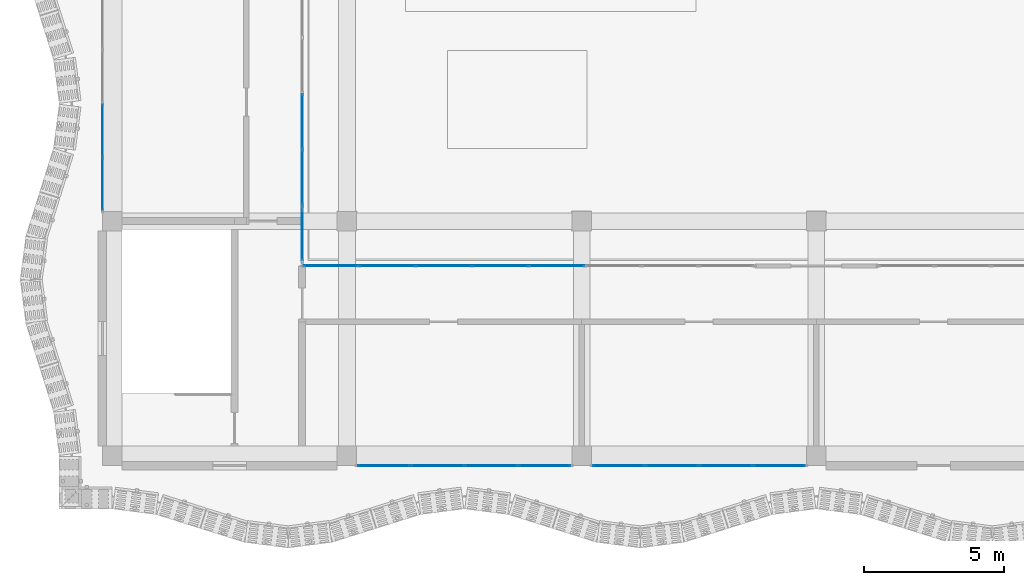
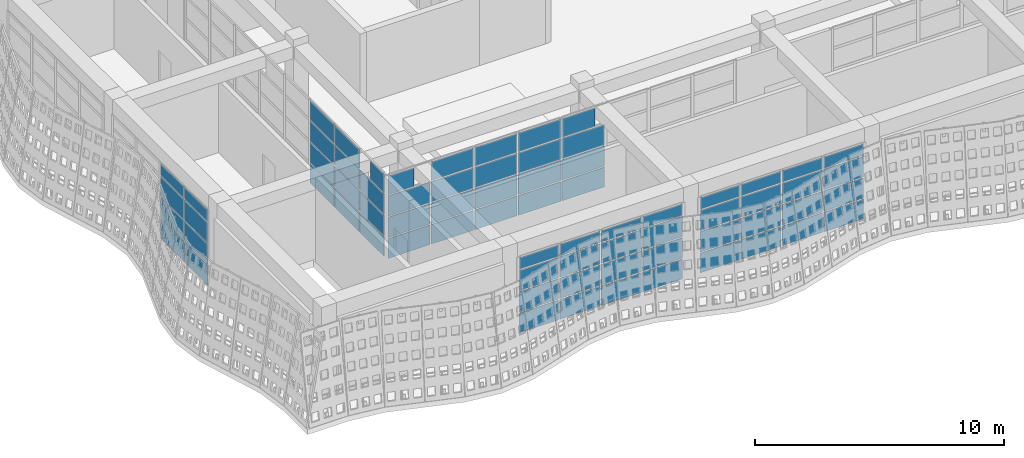
# One storey, part 27 of 85: 72 plates, 5 elements without a shape of their own.
"""IFC4 building model written with IfcOpenShell, lengths in metres."""

from ifc_helpers import new_model, si_unit, direction, frame, origin, origin_2d, place, context, subcontext, project, spatial, rectangle, extrude, material, layer, layer_set, type_object, element, aggregate, save


model = new_model("IFC4")

# Units and contexts
model_context = context("Model", 3, precision=1e-05, world=origin(), true_north=direction((0.0, 1.0)))
body_context = subcontext(model_context, "Body", "Model", "MODEL_VIEW")
ifc_project = project(units=[si_unit("LENGTHUNIT", "METRE"), si_unit("AREAUNIT", "SQUARE_METRE"), si_unit("VOLUMEUNIT", "CUBIC_METRE"), si_unit("PLANEANGLEUNIT", "RADIAN"), si_unit("MASSUNIT", "GRAM", prefix="KILO")], contexts=[model_context])

# Site, building, storey
site_placement = place(None, origin())
site = spatial("IfcSite", under=ifc_project, at=site_placement, CompositionType="ELEMENT")
building_placement = place(site_placement, origin())
building = spatial("IfcBuilding", under=site, at=building_placement, Name="Rain Tree Exposition and Congress Centre", CompositionType="ELEMENT")
storey_placement = place(building_placement, frame((0.0, 0.0, 15.0)))
storey = spatial("IfcBuildingStorey", under=building, at=storey_placement, Name="L03", CompositionType="ELEMENT", Elevation=15.0)

# Curtain wall, plates
ifc_material_1 = material(Name="Aluminium curtain wall", Category="aluminium")
curtain_wall_type = type_object("IfcCurtainWallType", Name="Wing curtain wall 1925", PredefinedType="NOTDEFINED", material=ifc_material_1)
curtain_wall_1_placement = place(storey_placement, origin())
curtain_wall_1 = element("IfcCurtainWall", 1, at=curtain_wall_1_placement, inside=storey, type_object=curtain_wall_type, Name="Curtain wall CWW401", PredefinedType="NOTDEFINED")
ifc_material_2 = material(Name="Double glazed unit", Category="glass")
ifc_layer = layer(ifc_material_2, 0.028076171875)
ifc_layer_set = layer_set([ifc_layer], Name="Double glazed unit")
plate_type = type_object("IfcPlateType", Name="Wing glazing panel 28", PredefinedType="CURTAIN_PANEL", material=ifc_layer_set)
plate_1_placement = place(storey_placement, frame((9.7275390625, -0.35009765625, 0.06005859375), z_axis=(0.0, 0.0, 1.0), x_axis=(1.0, 0.0, 0.0)))
plate_1 = element("IfcPlate", 2, at=plate_1_placement, type_object=plate_type, Name="CWW401 panel 1.1", PredefinedType="CURTAIN_PANEL", context=body_context, shape_type="SweptSolid", body=[
    extrude(rectangle(XDim=1.8349609375, YDim=0.028076171875, at=origin_2d()), origin(), (0.0, 0.0, 1.0), 0.9599609375),
])
plate_2_placement = place(storey_placement, frame((9.7275390625, -0.35009765625, 1.080078125), z_axis=(0.0, 0.0, 1.0), x_axis=(1.0, 0.0, 0.0)))
plate_2 = element("IfcPlate", 3, at=plate_2_placement, type_object=plate_type, Name="CWW401 panel 1.2", PredefinedType="CURTAIN_PANEL", context=body_context, shape_type="SweptSolid", body=[
    extrude(rectangle(XDim=1.8349609375, YDim=0.028076171875, at=origin_2d()), origin(), (0.0, 0.0, 1.0), 0.989990234375),
])
plate_3_placement = place(storey_placement, frame((9.7275390625, -0.35009765625, 2.1298828125), z_axis=(0.0, 0.0, 1.0), x_axis=(1.0, 0.0, 0.0)))
plate_3 = element("IfcPlate", 4, at=plate_3_placement, type_object=plate_type, Name="CWW401 panel 1.3", PredefinedType="CURTAIN_PANEL", context=body_context, shape_type="SweptSolid", body=[
    extrude(rectangle(XDim=1.8349609375, YDim=0.028076171875, at=origin_2d()), origin(), (0.0, 0.0, 1.0), 0.989990234375),
])
plate_4_placement = place(storey_placement, frame((9.7275390625, -0.35009765625, 3.179931640625), z_axis=(0.0, 0.0, 1.0), x_axis=(1.0, 0.0, 0.0)))
plate_4 = element("IfcPlate", 5, at=plate_4_placement, type_object=plate_type, Name="CWW401 panel 1.4", PredefinedType="CURTAIN_PANEL", context=body_context, shape_type="SweptSolid", body=[
    extrude(rectangle(XDim=1.8349609375, YDim=0.028076171875, at=origin_2d()), origin(), (0.0, 0.0, 1.0), 0.56005859375),
])
plate_5_placement = place(storey_placement, frame((11.637451171875, -0.35009765625, 0.06005859375), z_axis=(0.0, 0.0, 1.0), x_axis=(1.0, 0.0, 0.0)))
plate_5 = element("IfcPlate", 6, at=plate_5_placement, type_object=plate_type, Name="CWW401 panel 2.1", PredefinedType="CURTAIN_PANEL", context=body_context, shape_type="SweptSolid", body=[
    extrude(rectangle(XDim=1.864990234375, YDim=0.028076171875, at=origin_2d()), origin(), (0.0, 0.0, 1.0), 0.9599609375),
])
plate_6_placement = place(storey_placement, frame((11.637451171875, -0.35009765625, 1.080078125), z_axis=(0.0, 0.0, 1.0), x_axis=(1.0, 0.0, 0.0)))
plate_6 = element("IfcPlate", 7, at=plate_6_placement, type_object=plate_type, Name="CWW401 panel 2.2", PredefinedType="CURTAIN_PANEL", context=body_context, shape_type="SweptSolid", body=[
    extrude(rectangle(XDim=1.864990234375, YDim=0.028076171875, at=origin_2d()), origin(), (0.0, 0.0, 1.0), 0.989990234375),
])
plate_7_placement = place(storey_placement, frame((11.637451171875, -0.35009765625, 2.1298828125), z_axis=(0.0, 0.0, 1.0), x_axis=(1.0, 0.0, 0.0)))
plate_7 = element("IfcPlate", 8, at=plate_7_placement, type_object=plate_type, Name="CWW401 panel 2.3", PredefinedType="CURTAIN_PANEL", context=body_context, shape_type="SweptSolid", body=[
    extrude(rectangle(XDim=1.864990234375, YDim=0.028076171875, at=origin_2d()), origin(), (0.0, 0.0, 1.0), 0.989990234375),
])
plate_8_placement = place(storey_placement, frame((11.637451171875, -0.35009765625, 3.179931640625), z_axis=(0.0, 0.0, 1.0), x_axis=(1.0, 0.0, 0.0)))
plate_8 = element("IfcPlate", 9, at=plate_8_placement, type_object=plate_type, Name="CWW401 panel 2.4", PredefinedType="CURTAIN_PANEL", context=body_context, shape_type="SweptSolid", body=[
    extrude(rectangle(XDim=1.864990234375, YDim=0.028076171875, at=origin_2d()), origin(), (0.0, 0.0, 1.0), 0.56005859375),
])
plate_9_placement = place(storey_placement, frame((13.5625, -0.35009765625, 0.06005859375), z_axis=(0.0, 0.0, 1.0), x_axis=(1.0, 0.0, 0.0)))
plate_9 = element("IfcPlate", 10, at=plate_9_placement, type_object=plate_type, Name="CWW401 panel 3.1", PredefinedType="CURTAIN_PANEL", context=body_context, shape_type="SweptSolid", body=[
    extrude(rectangle(XDim=1.864990234375, YDim=0.028076171875, at=origin_2d()), origin(), (0.0, 0.0, 1.0), 0.9599609375),
])
plate_10_placement = place(storey_placement, frame((13.5625, -0.35009765625, 1.080078125), z_axis=(0.0, 0.0, 1.0), x_axis=(1.0, 0.0, 0.0)))
plate_10 = element("IfcPlate", 11, at=plate_10_placement, type_object=plate_type, Name="CWW401 panel 3.2", PredefinedType="CURTAIN_PANEL", context=body_context, shape_type="SweptSolid", body=[
    extrude(rectangle(XDim=1.864990234375, YDim=0.028076171875, at=origin_2d()), origin(), (0.0, 0.0, 1.0), 0.989990234375),
])
plate_11_placement = place(storey_placement, frame((13.5625, -0.35009765625, 2.1298828125), z_axis=(0.0, 0.0, 1.0), x_axis=(1.0, 0.0, 0.0)))
plate_11 = element("IfcPlate", 12, at=plate_11_placement, type_object=plate_type, Name="CWW401 panel 3.3", PredefinedType="CURTAIN_PANEL", context=body_context, shape_type="SweptSolid", body=[
    extrude(rectangle(XDim=1.864990234375, YDim=0.028076171875, at=origin_2d()), origin(), (0.0, 0.0, 1.0), 0.989990234375),
])
plate_12_placement = place(storey_placement, frame((13.5625, -0.35009765625, 3.179931640625), z_axis=(0.0, 0.0, 1.0), x_axis=(1.0, 0.0, 0.0)))
plate_12 = element("IfcPlate", 13, at=plate_12_placement, type_object=plate_type, Name="CWW401 panel 3.4", PredefinedType="CURTAIN_PANEL", context=body_context, shape_type="SweptSolid", body=[
    extrude(rectangle(XDim=1.864990234375, YDim=0.028076171875, at=origin_2d()), origin(), (0.0, 0.0, 1.0), 0.56005859375),
])
plate_13_placement = place(storey_placement, frame((15.472412109375, -0.35009765625, 0.06005859375), z_axis=(0.0, 0.0, 1.0), x_axis=(1.0, 0.0, 0.0)))
plate_13 = element("IfcPlate", 14, at=plate_13_placement, type_object=plate_type, Name="CWW401 panel 4.1", PredefinedType="CURTAIN_PANEL", context=body_context, shape_type="SweptSolid", body=[
    extrude(rectangle(XDim=1.8349609375, YDim=0.028076171875, at=origin_2d()), origin(), (0.0, 0.0, 1.0), 0.9599609375),
])
plate_14_placement = place(storey_placement, frame((15.472412109375, -0.35009765625, 1.080078125), z_axis=(0.0, 0.0, 1.0), x_axis=(1.0, 0.0, 0.0)))
plate_14 = element("IfcPlate", 15, at=plate_14_placement, type_object=plate_type, Name="CWW401 panel 4.2", PredefinedType="CURTAIN_PANEL", context=body_context, shape_type="SweptSolid", body=[
    extrude(rectangle(XDim=1.8349609375, YDim=0.028076171875, at=origin_2d()), origin(), (0.0, 0.0, 1.0), 0.989990234375),
])
plate_15_placement = place(storey_placement, frame((15.472412109375, -0.35009765625, 2.1298828125), z_axis=(0.0, 0.0, 1.0), x_axis=(1.0, 0.0, 0.0)))
plate_15 = element("IfcPlate", 16, at=plate_15_placement, type_object=plate_type, Name="CWW401 panel 4.3", PredefinedType="CURTAIN_PANEL", context=body_context, shape_type="SweptSolid", body=[
    extrude(rectangle(XDim=1.8349609375, YDim=0.028076171875, at=origin_2d()), origin(), (0.0, 0.0, 1.0), 0.989990234375),
])
plate_16_placement = place(storey_placement, frame((15.472412109375, -0.35009765625, 3.179931640625), z_axis=(0.0, 0.0, 1.0), x_axis=(1.0, 0.0, 0.0)))
plate_16 = element("IfcPlate", 17, at=plate_16_placement, type_object=plate_type, Name="CWW401 panel 4.4", PredefinedType="CURTAIN_PANEL", context=body_context, shape_type="SweptSolid", body=[
    extrude(rectangle(XDim=1.8349609375, YDim=0.028076171875, at=origin_2d()), origin(), (0.0, 0.0, 1.0), 0.56005859375),
])
aggregate(curtain_wall_1, [plate_1, plate_2, plate_3, plate_4, plate_5, plate_6, plate_7, plate_8, plate_9, plate_10, plate_11, plate_12, plate_13, plate_14, plate_15, plate_16])

curtain_wall_2_placement = place(storey_placement, origin())
curtain_wall_2 = element("IfcCurtainWall", 18, at=curtain_wall_2_placement, inside=storey, type_object=curtain_wall_type, Name="Curtain wall CWW402", PredefinedType="NOTDEFINED")
plate_17_placement = place(storey_placement, frame((18.12744140625, -0.35009765625, 0.06005859375), z_axis=(0.0, 0.0, 1.0), x_axis=(1.0, 0.0, 0.0)))
plate_17 = element("IfcPlate", 19, at=plate_17_placement, type_object=plate_type, Name="CWW402 panel 1.1", PredefinedType="CURTAIN_PANEL", context=body_context, shape_type="SweptSolid", body=[
    extrude(rectangle(XDim=1.8349609375, YDim=0.028076171875, at=origin_2d()), origin(), (0.0, 0.0, 1.0), 0.9599609375),
])
plate_18_placement = place(storey_placement, frame((18.12744140625, -0.35009765625, 1.080078125), z_axis=(0.0, 0.0, 1.0), x_axis=(1.0, 0.0, 0.0)))
plate_18 = element("IfcPlate", 20, at=plate_18_placement, type_object=plate_type, Name="CWW402 panel 1.2", PredefinedType="CURTAIN_PANEL", context=body_context, shape_type="SweptSolid", body=[
    extrude(rectangle(XDim=1.8349609375, YDim=0.028076171875, at=origin_2d()), origin(), (0.0, 0.0, 1.0), 0.989990234375),
])
plate_19_placement = place(storey_placement, frame((18.12744140625, -0.35009765625, 2.1298828125), z_axis=(0.0, 0.0, 1.0), x_axis=(1.0, 0.0, 0.0)))
plate_19 = element("IfcPlate", 21, at=plate_19_placement, type_object=plate_type, Name="CWW402 panel 1.3", PredefinedType="CURTAIN_PANEL", context=body_context, shape_type="SweptSolid", body=[
    extrude(rectangle(XDim=1.8349609375, YDim=0.028076171875, at=origin_2d()), origin(), (0.0, 0.0, 1.0), 0.989990234375),
])
plate_20_placement = place(storey_placement, frame((18.12744140625, -0.35009765625, 3.179931640625), z_axis=(0.0, 0.0, 1.0), x_axis=(1.0, 0.0, 0.0)))
plate_20 = element("IfcPlate", 22, at=plate_20_placement, type_object=plate_type, Name="CWW402 panel 1.4", PredefinedType="CURTAIN_PANEL", context=body_context, shape_type="SweptSolid", body=[
    extrude(rectangle(XDim=1.8349609375, YDim=0.028076171875, at=origin_2d()), origin(), (0.0, 0.0, 1.0), 0.56005859375),
])
plate_21_placement = place(storey_placement, frame((20.03759765625, -0.35009765625, 0.06005859375), z_axis=(0.0, 0.0, 1.0), x_axis=(1.0, 0.0, 0.0)))
plate_21 = element("IfcPlate", 23, at=plate_21_placement, type_object=plate_type, Name="CWW402 panel 2.1", PredefinedType="CURTAIN_PANEL", context=body_context, shape_type="SweptSolid", body=[
    extrude(rectangle(XDim=1.864990234375, YDim=0.028076171875, at=origin_2d()), origin(), (0.0, 0.0, 1.0), 0.9599609375),
])
plate_22_placement = place(storey_placement, frame((20.03759765625, -0.35009765625, 1.080078125), z_axis=(0.0, 0.0, 1.0), x_axis=(1.0, 0.0, 0.0)))
plate_22 = element("IfcPlate", 24, at=plate_22_placement, type_object=plate_type, Name="CWW402 panel 2.2", PredefinedType="CURTAIN_PANEL", context=body_context, shape_type="SweptSolid", body=[
    extrude(rectangle(XDim=1.864990234375, YDim=0.028076171875, at=origin_2d()), origin(), (0.0, 0.0, 1.0), 0.989990234375),
])
plate_23_placement = place(storey_placement, frame((20.03759765625, -0.35009765625, 2.1298828125), z_axis=(0.0, 0.0, 1.0), x_axis=(1.0, 0.0, 0.0)))
plate_23 = element("IfcPlate", 25, at=plate_23_placement, type_object=plate_type, Name="CWW402 panel 2.3", PredefinedType="CURTAIN_PANEL", context=body_context, shape_type="SweptSolid", body=[
    extrude(rectangle(XDim=1.864990234375, YDim=0.028076171875, at=origin_2d()), origin(), (0.0, 0.0, 1.0), 0.989990234375),
])
plate_24_placement = place(storey_placement, frame((20.03759765625, -0.35009765625, 3.179931640625), z_axis=(0.0, 0.0, 1.0), x_axis=(1.0, 0.0, 0.0)))
plate_24 = element("IfcPlate", 26, at=plate_24_placement, type_object=plate_type, Name="CWW402 panel 2.4", PredefinedType="CURTAIN_PANEL", context=body_context, shape_type="SweptSolid", body=[
    extrude(rectangle(XDim=1.864990234375, YDim=0.028076171875, at=origin_2d()), origin(), (0.0, 0.0, 1.0), 0.56005859375),
])
plate_25_placement = place(storey_placement, frame((21.96240234375, -0.35009765625, 0.06005859375), z_axis=(0.0, 0.0, 1.0), x_axis=(1.0, 0.0, 0.0)))
plate_25 = element("IfcPlate", 27, at=plate_25_placement, type_object=plate_type, Name="CWW402 panel 3.1", PredefinedType="CURTAIN_PANEL", context=body_context, shape_type="SweptSolid", body=[
    extrude(rectangle(XDim=1.864990234375, YDim=0.028076171875, at=origin_2d()), origin(), (0.0, 0.0, 1.0), 0.9599609375),
])
plate_26_placement = place(storey_placement, frame((21.96240234375, -0.35009765625, 1.080078125), z_axis=(0.0, 0.0, 1.0), x_axis=(1.0, 0.0, 0.0)))
plate_26 = element("IfcPlate", 28, at=plate_26_placement, type_object=plate_type, Name="CWW402 panel 3.2", PredefinedType="CURTAIN_PANEL", context=body_context, shape_type="SweptSolid", body=[
    extrude(rectangle(XDim=1.864990234375, YDim=0.028076171875, at=origin_2d()), origin(), (0.0, 0.0, 1.0), 0.989990234375),
])
plate_27_placement = place(storey_placement, frame((21.96240234375, -0.35009765625, 2.1298828125), z_axis=(0.0, 0.0, 1.0), x_axis=(1.0, 0.0, 0.0)))
plate_27 = element("IfcPlate", 29, at=plate_27_placement, type_object=plate_type, Name="CWW402 panel 3.3", PredefinedType="CURTAIN_PANEL", context=body_context, shape_type="SweptSolid", body=[
    extrude(rectangle(XDim=1.864990234375, YDim=0.028076171875, at=origin_2d()), origin(), (0.0, 0.0, 1.0), 0.989990234375),
])
plate_28_placement = place(storey_placement, frame((21.96240234375, -0.35009765625, 3.179931640625), z_axis=(0.0, 0.0, 1.0), x_axis=(1.0, 0.0, 0.0)))
plate_28 = element("IfcPlate", 30, at=plate_28_placement, type_object=plate_type, Name="CWW402 panel 3.4", PredefinedType="CURTAIN_PANEL", context=body_context, shape_type="SweptSolid", body=[
    extrude(rectangle(XDim=1.864990234375, YDim=0.028076171875, at=origin_2d()), origin(), (0.0, 0.0, 1.0), 0.56005859375),
])
plate_29_placement = place(storey_placement, frame((23.87255859375, -0.35009765625, 0.06005859375), z_axis=(0.0, 0.0, 1.0), x_axis=(1.0, 0.0, 0.0)))
plate_29 = element("IfcPlate", 31, at=plate_29_placement, type_object=plate_type, Name="CWW402 panel 4.1", PredefinedType="CURTAIN_PANEL", context=body_context, shape_type="SweptSolid", body=[
    extrude(rectangle(XDim=1.8349609375, YDim=0.028076171875, at=origin_2d()), origin(), (0.0, 0.0, 1.0), 0.9599609375),
])
plate_30_placement = place(storey_placement, frame((23.87255859375, -0.35009765625, 1.080078125), z_axis=(0.0, 0.0, 1.0), x_axis=(1.0, 0.0, 0.0)))
plate_30 = element("IfcPlate", 32, at=plate_30_placement, type_object=plate_type, Name="CWW402 panel 4.2", PredefinedType="CURTAIN_PANEL", context=body_context, shape_type="SweptSolid", body=[
    extrude(rectangle(XDim=1.8349609375, YDim=0.028076171875, at=origin_2d()), origin(), (0.0, 0.0, 1.0), 0.989990234375),
])
plate_31_placement = place(storey_placement, frame((23.87255859375, -0.35009765625, 2.1298828125), z_axis=(0.0, 0.0, 1.0), x_axis=(1.0, 0.0, 0.0)))
plate_31 = element("IfcPlate", 33, at=plate_31_placement, type_object=plate_type, Name="CWW402 panel 4.3", PredefinedType="CURTAIN_PANEL", context=body_context, shape_type="SweptSolid", body=[
    extrude(rectangle(XDim=1.8349609375, YDim=0.028076171875, at=origin_2d()), origin(), (0.0, 0.0, 1.0), 0.989990234375),
])
plate_32_placement = place(storey_placement, frame((23.87255859375, -0.35009765625, 3.179931640625), z_axis=(0.0, 0.0, 1.0), x_axis=(1.0, 0.0, 0.0)))
plate_32 = element("IfcPlate", 34, at=plate_32_placement, type_object=plate_type, Name="CWW402 panel 4.4", PredefinedType="CURTAIN_PANEL", context=body_context, shape_type="SweptSolid", body=[
    extrude(rectangle(XDim=1.8349609375, YDim=0.028076171875, at=origin_2d()), origin(), (0.0, 0.0, 1.0), 0.56005859375),
])
aggregate(curtain_wall_2, [plate_17, plate_18, plate_19, plate_20, plate_21, plate_22, plate_23, plate_24, plate_25, plate_26, plate_27, plate_28, plate_29, plate_30, plate_31, plate_32])

curtain_wall_3_placement = place(storey_placement, origin())
curtain_wall_3 = element("IfcCurtainWall", 35, at=curtain_wall_3_placement, inside=storey, type_object=curtain_wall_type, Name="Curtain wall CWW408", PredefinedType="NOTDEFINED")
plate_33_placement = place(storey_placement, frame((-0.35009765625, 9.7275390625, 0.06005859375), z_axis=(0.0, 0.0, 1.0), x_axis=(0.0, 1.0, 0.0)))
plate_33 = element("IfcPlate", 36, at=plate_33_placement, type_object=plate_type, Name="CWW408 panel 1.1", PredefinedType="CURTAIN_PANEL", context=body_context, shape_type="SweptSolid", body=[
    extrude(rectangle(XDim=1.8349609375, YDim=0.028076171875, at=origin_2d()), origin(), (0.0, 0.0, 1.0), 0.9599609375),
])
plate_34_placement = place(storey_placement, frame((-0.35009765625, 9.7275390625, 1.080078125), z_axis=(0.0, 0.0, 1.0), x_axis=(0.0, 1.0, 0.0)))
plate_34 = element("IfcPlate", 37, at=plate_34_placement, type_object=plate_type, Name="CWW408 panel 1.2", PredefinedType="CURTAIN_PANEL", context=body_context, shape_type="SweptSolid", body=[
    extrude(rectangle(XDim=1.8349609375, YDim=0.028076171875, at=origin_2d()), origin(), (0.0, 0.0, 1.0), 0.989990234375),
])
plate_35_placement = place(storey_placement, frame((-0.35009765625, 9.7275390625, 2.1298828125), z_axis=(0.0, 0.0, 1.0), x_axis=(0.0, 1.0, 0.0)))
plate_35 = element("IfcPlate", 38, at=plate_35_placement, type_object=plate_type, Name="CWW408 panel 1.3", PredefinedType="CURTAIN_PANEL", context=body_context, shape_type="SweptSolid", body=[
    extrude(rectangle(XDim=1.8349609375, YDim=0.028076171875, at=origin_2d()), origin(), (0.0, 0.0, 1.0), 0.989990234375),
])
plate_36_placement = place(storey_placement, frame((-0.35009765625, 9.7275390625, 3.179931640625), z_axis=(0.0, 0.0, 1.0), x_axis=(0.0, 1.0, 0.0)))
plate_36 = element("IfcPlate", 39, at=plate_36_placement, type_object=plate_type, Name="CWW408 panel 1.4", PredefinedType="CURTAIN_PANEL", context=body_context, shape_type="SweptSolid", body=[
    extrude(rectangle(XDim=1.8349609375, YDim=0.028076171875, at=origin_2d()), origin(), (0.0, 0.0, 1.0), 0.56005859375),
])
plate_37_placement = place(storey_placement, frame((-0.35009765625, 11.637451171875, 0.06005859375), z_axis=(0.0, 0.0, 1.0), x_axis=(0.0, 1.0, 0.0)))
plate_37 = element("IfcPlate", 40, at=plate_37_placement, type_object=plate_type, Name="CWW408 panel 2.1", PredefinedType="CURTAIN_PANEL", context=body_context, shape_type="SweptSolid", body=[
    extrude(rectangle(XDim=1.864990234375, YDim=0.028076171875, at=origin_2d()), origin(), (0.0, 0.0, 1.0), 0.9599609375),
])
plate_38_placement = place(storey_placement, frame((-0.35009765625, 11.637451171875, 1.080078125), z_axis=(0.0, 0.0, 1.0), x_axis=(0.0, 1.0, 0.0)))
plate_38 = element("IfcPlate", 41, at=plate_38_placement, type_object=plate_type, Name="CWW408 panel 2.2", PredefinedType="CURTAIN_PANEL", context=body_context, shape_type="SweptSolid", body=[
    extrude(rectangle(XDim=1.864990234375, YDim=0.028076171875, at=origin_2d()), origin(), (0.0, 0.0, 1.0), 0.989990234375),
])
plate_39_placement = place(storey_placement, frame((-0.35009765625, 11.637451171875, 2.1298828125), z_axis=(0.0, 0.0, 1.0), x_axis=(0.0, 1.0, 0.0)))
plate_39 = element("IfcPlate", 42, at=plate_39_placement, type_object=plate_type, Name="CWW408 panel 2.3", PredefinedType="CURTAIN_PANEL", context=body_context, shape_type="SweptSolid", body=[
    extrude(rectangle(XDim=1.864990234375, YDim=0.028076171875, at=origin_2d()), origin(), (0.0, 0.0, 1.0), 0.989990234375),
])
plate_40_placement = place(storey_placement, frame((-0.35009765625, 11.637451171875, 3.179931640625), z_axis=(0.0, 0.0, 1.0), x_axis=(0.0, 1.0, 0.0)))
plate_40 = element("IfcPlate", 43, at=plate_40_placement, type_object=plate_type, Name="CWW408 panel 2.4", PredefinedType="CURTAIN_PANEL", context=body_context, shape_type="SweptSolid", body=[
    extrude(rectangle(XDim=1.864990234375, YDim=0.028076171875, at=origin_2d()), origin(), (0.0, 0.0, 1.0), 0.56005859375),
])
aggregate(curtain_wall_3, [plate_33, plate_34, plate_35, plate_36, plate_37, plate_38, plate_39, plate_40])

curtain_wall_4_placement = place(storey_placement, origin())
curtain_wall_4 = element("IfcCurtainWall", 44, at=curtain_wall_4_placement, inside=storey, type_object=curtain_wall_type, Name="Curtain wall CWW501", PredefinedType="NOTDEFINED")
plate_41_placement = place(storey_placement, frame((7.827392578125, 6.800048828125, 0.06005859375), z_axis=(0.0, 0.0, 1.0), x_axis=(1.0, 0.0, 0.0)))
plate_41 = element("IfcPlate", 45, at=plate_41_placement, type_object=plate_type, Name="CWW501 panel 1.1", PredefinedType="CURTAIN_PANEL", context=body_context, shape_type="SweptSolid", body=[
    extrude(rectangle(XDim=1.93505859375, YDim=0.028076171875, at=origin_2d()), origin(), (0.0, 0.0, 1.0), 0.9599609375),
])
plate_42_placement = place(storey_placement, frame((7.827392578125, 6.800048828125, 1.080078125), z_axis=(0.0, 0.0, 1.0), x_axis=(1.0, 0.0, 0.0)))
plate_42 = element("IfcPlate", 46, at=plate_42_placement, type_object=plate_type, Name="CWW501 panel 1.2", PredefinedType="CURTAIN_PANEL", context=body_context, shape_type="SweptSolid", body=[
    extrude(rectangle(XDim=1.93505859375, YDim=0.028076171875, at=origin_2d()), origin(), (0.0, 0.0, 1.0), 0.989990234375),
])
plate_43_placement = place(storey_placement, frame((7.827392578125, 6.800048828125, 2.1298828125), z_axis=(0.0, 0.0, 1.0), x_axis=(1.0, 0.0, 0.0)))
plate_43 = element("IfcPlate", 47, at=plate_43_placement, type_object=plate_type, Name="CWW501 panel 1.3", PredefinedType="CURTAIN_PANEL", context=body_context, shape_type="SweptSolid", body=[
    extrude(rectangle(XDim=1.93505859375, YDim=0.028076171875, at=origin_2d()), origin(), (0.0, 0.0, 1.0), 0.989990234375),
])
plate_44_placement = place(storey_placement, frame((7.465087890625, 6.800048828125, 3.18017578125), z_axis=(0.0, 0.0, 1.0), x_axis=(1.0, 0.0, 0.0)))
plate_44 = element("IfcPlate", 48, at=plate_44_placement, type_object=plate_type, Name="CWW501 panel 1.4", PredefinedType="CURTAIN_PANEL", context=body_context, shape_type="SweptSolid", body=[
    extrude(rectangle(XDim=1.2099609375, YDim=0.028076171875, at=origin_2d()), origin(), (0.0, 0.0, 1.0), 0.909912109375),
])
plate_45_placement = place(storey_placement, frame((9.83740234375, 6.800048828125, 0.06005859375), z_axis=(0.0, 0.0, 1.0), x_axis=(1.0, 0.0, 0.0)))
plate_45 = element("IfcPlate", 49, at=plate_45_placement, type_object=plate_type, Name="CWW501 panel 2.1", PredefinedType="CURTAIN_PANEL", context=body_context, shape_type="SweptSolid", body=[
    extrude(rectangle(XDim=1.965087890625, YDim=0.028076171875, at=origin_2d()), origin(), (0.0, 0.0, 1.0), 0.9599609375),
])
plate_46_placement = place(storey_placement, frame((9.83740234375, 6.800048828125, 1.080078125), z_axis=(0.0, 0.0, 1.0), x_axis=(1.0, 0.0, 0.0)))
plate_46 = element("IfcPlate", 50, at=plate_46_placement, type_object=plate_type, Name="CWW501 panel 2.2", PredefinedType="CURTAIN_PANEL", context=body_context, shape_type="SweptSolid", body=[
    extrude(rectangle(XDim=1.965087890625, YDim=0.028076171875, at=origin_2d()), origin(), (0.0, 0.0, 1.0), 0.989990234375),
])
plate_47_placement = place(storey_placement, frame((9.83740234375, 6.800048828125, 2.1298828125), z_axis=(0.0, 0.0, 1.0), x_axis=(1.0, 0.0, 0.0)))
plate_47 = element("IfcPlate", 51, at=plate_47_placement, type_object=plate_type, Name="CWW501 panel 2.3", PredefinedType="CURTAIN_PANEL", context=body_context, shape_type="SweptSolid", body=[
    extrude(rectangle(XDim=1.965087890625, YDim=0.028076171875, at=origin_2d()), origin(), (0.0, 0.0, 1.0), 0.989990234375),
])
plate_48_placement = place(storey_placement, frame((9.83740234375, 6.800048828125, 3.18017578125), z_axis=(0.0, 0.0, 1.0), x_axis=(1.0, 0.0, 0.0)))
plate_48 = element("IfcPlate", 52, at=plate_48_placement, type_object=plate_type, Name="CWW501 panel 2.4", PredefinedType="CURTAIN_PANEL", context=body_context, shape_type="SweptSolid", body=[
    extrude(rectangle(XDim=1.965087890625, YDim=0.028076171875, at=origin_2d()), origin(), (0.0, 0.0, 1.0), 0.909912109375),
])
plate_49_placement = place(storey_placement, frame((11.862548828125, 6.800048828125, 0.06005859375), z_axis=(0.0, 0.0, 1.0), x_axis=(1.0, 0.0, 0.0)))
plate_49 = element("IfcPlate", 53, at=plate_49_placement, type_object=plate_type, Name="CWW501 panel 3.1", PredefinedType="CURTAIN_PANEL", context=body_context, shape_type="SweptSolid", body=[
    extrude(rectangle(XDim=1.965087890625, YDim=0.028076171875, at=origin_2d()), origin(), (0.0, 0.0, 1.0), 0.9599609375),
])
plate_50_placement = place(storey_placement, frame((11.862548828125, 6.800048828125, 1.080078125), z_axis=(0.0, 0.0, 1.0), x_axis=(1.0, 0.0, 0.0)))
plate_50 = element("IfcPlate", 54, at=plate_50_placement, type_object=plate_type, Name="CWW501 panel 3.2", PredefinedType="CURTAIN_PANEL", context=body_context, shape_type="SweptSolid", body=[
    extrude(rectangle(XDim=1.965087890625, YDim=0.028076171875, at=origin_2d()), origin(), (0.0, 0.0, 1.0), 0.989990234375),
])
plate_51_placement = place(storey_placement, frame((11.862548828125, 6.800048828125, 2.1298828125), z_axis=(0.0, 0.0, 1.0), x_axis=(1.0, 0.0, 0.0)))
plate_51 = element("IfcPlate", 55, at=plate_51_placement, type_object=plate_type, Name="CWW501 panel 3.3", PredefinedType="CURTAIN_PANEL", context=body_context, shape_type="SweptSolid", body=[
    extrude(rectangle(XDim=1.965087890625, YDim=0.028076171875, at=origin_2d()), origin(), (0.0, 0.0, 1.0), 0.989990234375),
])
plate_52_placement = place(storey_placement, frame((11.862548828125, 6.800048828125, 3.18017578125), z_axis=(0.0, 0.0, 1.0), x_axis=(1.0, 0.0, 0.0)))
plate_52 = element("IfcPlate", 56, at=plate_52_placement, type_object=plate_type, Name="CWW501 panel 3.4", PredefinedType="CURTAIN_PANEL", context=body_context, shape_type="SweptSolid", body=[
    extrude(rectangle(XDim=1.965087890625, YDim=0.028076171875, at=origin_2d()), origin(), (0.0, 0.0, 1.0), 0.909912109375),
])
plate_53_placement = place(storey_placement, frame((13.887451171875, 6.800048828125, 0.06005859375), z_axis=(0.0, 0.0, 1.0), x_axis=(1.0, 0.0, 0.0)))
plate_53 = element("IfcPlate", 57, at=plate_53_placement, type_object=plate_type, Name="CWW501 panel 4.1", PredefinedType="CURTAIN_PANEL", context=body_context, shape_type="SweptSolid", body=[
    extrude(rectangle(XDim=1.965087890625, YDim=0.028076171875, at=origin_2d()), origin(), (0.0, 0.0, 1.0), 0.9599609375),
])
plate_54_placement = place(storey_placement, frame((13.887451171875, 6.800048828125, 1.080078125), z_axis=(0.0, 0.0, 1.0), x_axis=(1.0, 0.0, 0.0)))
plate_54 = element("IfcPlate", 58, at=plate_54_placement, type_object=plate_type, Name="CWW501 panel 4.2", PredefinedType="CURTAIN_PANEL", context=body_context, shape_type="SweptSolid", body=[
    extrude(rectangle(XDim=1.965087890625, YDim=0.028076171875, at=origin_2d()), origin(), (0.0, 0.0, 1.0), 0.989990234375),
])
plate_55_placement = place(storey_placement, frame((13.887451171875, 6.800048828125, 2.1298828125), z_axis=(0.0, 0.0, 1.0), x_axis=(1.0, 0.0, 0.0)))
plate_55 = element("IfcPlate", 59, at=plate_55_placement, type_object=plate_type, Name="CWW501 panel 4.3", PredefinedType="CURTAIN_PANEL", context=body_context, shape_type="SweptSolid", body=[
    extrude(rectangle(XDim=1.965087890625, YDim=0.028076171875, at=origin_2d()), origin(), (0.0, 0.0, 1.0), 0.989990234375),
])
plate_56_placement = place(storey_placement, frame((13.887451171875, 6.800048828125, 3.18017578125), z_axis=(0.0, 0.0, 1.0), x_axis=(1.0, 0.0, 0.0)))
plate_56 = element("IfcPlate", 60, at=plate_56_placement, type_object=plate_type, Name="CWW501 panel 4.4", PredefinedType="CURTAIN_PANEL", context=body_context, shape_type="SweptSolid", body=[
    extrude(rectangle(XDim=1.965087890625, YDim=0.028076171875, at=origin_2d()), origin(), (0.0, 0.0, 1.0), 0.909912109375),
])
plate_57_placement = place(storey_placement, frame((15.91259765625, 6.800048828125, 0.06005859375), z_axis=(0.0, 0.0, 1.0), x_axis=(1.0, 0.0, 0.0)))
plate_57 = element("IfcPlate", 61, at=plate_57_placement, type_object=plate_type, Name="CWW501 panel 5.1", PredefinedType="CURTAIN_PANEL", context=body_context, shape_type="SweptSolid", body=[
    extrude(rectangle(XDim=1.965087890625, YDim=0.028076171875, at=origin_2d()), origin(), (0.0, 0.0, 1.0), 0.9599609375),
])
plate_58_placement = place(storey_placement, frame((15.91259765625, 6.800048828125, 1.080078125), z_axis=(0.0, 0.0, 1.0), x_axis=(1.0, 0.0, 0.0)))
plate_58 = element("IfcPlate", 62, at=plate_58_placement, type_object=plate_type, Name="CWW501 panel 5.2", PredefinedType="CURTAIN_PANEL", context=body_context, shape_type="SweptSolid", body=[
    extrude(rectangle(XDim=1.965087890625, YDim=0.028076171875, at=origin_2d()), origin(), (0.0, 0.0, 1.0), 0.989990234375),
])
plate_59_placement = place(storey_placement, frame((15.91259765625, 6.800048828125, 2.1298828125), z_axis=(0.0, 0.0, 1.0), x_axis=(1.0, 0.0, 0.0)))
plate_59 = element("IfcPlate", 63, at=plate_59_placement, type_object=plate_type, Name="CWW501 panel 5.3", PredefinedType="CURTAIN_PANEL", context=body_context, shape_type="SweptSolid", body=[
    extrude(rectangle(XDim=1.965087890625, YDim=0.028076171875, at=origin_2d()), origin(), (0.0, 0.0, 1.0), 0.989990234375),
])
plate_60_placement = place(storey_placement, frame((15.699951171875, 6.800048828125, 3.18017578125), z_axis=(0.0, 0.0, 1.0), x_axis=(1.0, 0.0, 0.0)))
plate_60 = element("IfcPlate", 64, at=plate_60_placement, type_object=plate_type, Name="CWW501 panel 5.4", PredefinedType="CURTAIN_PANEL", context=body_context, shape_type="SweptSolid", body=[
    extrude(rectangle(XDim=1.5400390625, YDim=0.028076171875, at=origin_2d()), origin(), (0.0, 0.0, 1.0), 0.909912109375),
])
aggregate(curtain_wall_4, [plate_41, plate_42, plate_43, plate_44, plate_45, plate_46, plate_47, plate_48, plate_49, plate_50, plate_51, plate_52, plate_53, plate_54, plate_55, plate_56, plate_57, plate_58, plate_59, plate_60])

curtain_wall_5_placement = place(storey_placement, origin())
curtain_wall_5 = element("IfcCurtainWall", 65, at=curtain_wall_5_placement, inside=storey, type_object=curtain_wall_type, Name="Curtain wall CWW505", PredefinedType="NOTDEFINED")
plate_61_placement = place(storey_placement, frame((6.800048828125, 7.968017578125, 0.06005859375), z_axis=(0.0, 0.0, 1.0), x_axis=(0.0, 1.0, 0.0)))
plate_61 = element("IfcPlate", 66, at=plate_61_placement, type_object=plate_type, Name="CWW505 panel 1.1", PredefinedType="CURTAIN_PANEL", context=body_context, shape_type="SweptSolid", body=[
    extrude(rectangle(XDim=1.916259765625, YDim=0.028076171875, at=origin_2d()), origin(), (0.0, 0.0, 1.0), 0.9599609375),
])
plate_62_placement = place(storey_placement, frame((6.800048828125, 7.968017578125, 1.080078125), z_axis=(0.0, 0.0, 1.0), x_axis=(0.0, 1.0, 0.0)))
plate_62 = element("IfcPlate", 67, at=plate_62_placement, type_object=plate_type, Name="CWW505 panel 1.2", PredefinedType="CURTAIN_PANEL", context=body_context, shape_type="SweptSolid", body=[
    extrude(rectangle(XDim=1.916259765625, YDim=0.028076171875, at=origin_2d()), origin(), (0.0, 0.0, 1.0), 0.989990234375),
])
plate_63_placement = place(storey_placement, frame((6.800048828125, 7.968017578125, 2.1298828125), z_axis=(0.0, 0.0, 1.0), x_axis=(0.0, 1.0, 0.0)))
plate_63 = element("IfcPlate", 68, at=plate_63_placement, type_object=plate_type, Name="CWW505 panel 1.3", PredefinedType="CURTAIN_PANEL", context=body_context, shape_type="SweptSolid", body=[
    extrude(rectangle(XDim=1.916259765625, YDim=0.028076171875, at=origin_2d()), origin(), (0.0, 0.0, 1.0), 0.989990234375),
])
plate_64_placement = place(storey_placement, frame((6.800048828125, 7.5400390625, 3.18017578125), z_axis=(0.0, 0.0, 1.0), x_axis=(0.0, 1.0, 0.0)))
plate_64 = element("IfcPlate", 69, at=plate_64_placement, type_object=plate_type, Name="CWW505 panel 1.4", PredefinedType="CURTAIN_PANEL", context=body_context, shape_type="SweptSolid", body=[
    extrude(rectangle(XDim=1.06005859375, YDim=0.028076171875, at=origin_2d()), origin(), (0.0, 0.0, 1.0), 0.909912109375),
])
plate_65_placement = place(storey_placement, frame((6.800048828125, 9.95947265625, 0.06005859375), z_axis=(0.0, 0.0, 1.0), x_axis=(0.0, 1.0, 0.0)))
plate_65 = element("IfcPlate", 70, at=plate_65_placement, type_object=plate_type, Name="CWW505 panel 2.1", PredefinedType="CURTAIN_PANEL", context=body_context, shape_type="SweptSolid", body=[
    extrude(rectangle(XDim=1.9462890625, YDim=0.028076171875, at=origin_2d()), origin(), (0.0, 0.0, 1.0), 0.9599609375),
])
plate_66_placement = place(storey_placement, frame((6.800048828125, 9.95947265625, 1.080078125), z_axis=(0.0, 0.0, 1.0), x_axis=(0.0, 1.0, 0.0)))
plate_66 = element("IfcPlate", 71, at=plate_66_placement, type_object=plate_type, Name="CWW505 panel 2.2", PredefinedType="CURTAIN_PANEL", context=body_context, shape_type="SweptSolid", body=[
    extrude(rectangle(XDim=1.9462890625, YDim=0.028076171875, at=origin_2d()), origin(), (0.0, 0.0, 1.0), 0.989990234375),
])
plate_67_placement = place(storey_placement, frame((6.800048828125, 9.95947265625, 2.1298828125), z_axis=(0.0, 0.0, 1.0), x_axis=(0.0, 1.0, 0.0)))
plate_67 = element("IfcPlate", 72, at=plate_67_placement, type_object=plate_type, Name="CWW505 panel 2.3", PredefinedType="CURTAIN_PANEL", context=body_context, shape_type="SweptSolid", body=[
    extrude(rectangle(XDim=1.9462890625, YDim=0.028076171875, at=origin_2d()), origin(), (0.0, 0.0, 1.0), 0.989990234375),
])
plate_68_placement = place(storey_placement, frame((6.800048828125, 9.95947265625, 3.18017578125), z_axis=(0.0, 0.0, 1.0), x_axis=(0.0, 1.0, 0.0)))
plate_68 = element("IfcPlate", 73, at=plate_68_placement, type_object=plate_type, Name="CWW505 panel 2.4", PredefinedType="CURTAIN_PANEL", context=body_context, shape_type="SweptSolid", body=[
    extrude(rectangle(XDim=1.9462890625, YDim=0.028076171875, at=origin_2d()), origin(), (0.0, 0.0, 1.0), 0.909912109375),
])
plate_69_placement = place(storey_placement, frame((6.800048828125, 11.965576171875, 0.06005859375), z_axis=(0.0, 0.0, 1.0), x_axis=(0.0, 1.0, 0.0)))
plate_69 = element("IfcPlate", 74, at=plate_69_placement, type_object=plate_type, Name="CWW505 panel 3.1", PredefinedType="CURTAIN_PANEL", context=body_context, shape_type="SweptSolid", body=[
    extrude(rectangle(XDim=1.9462890625, YDim=0.028076171875, at=origin_2d()), origin(), (0.0, 0.0, 1.0), 0.9599609375),
])
plate_70_placement = place(storey_placement, frame((6.800048828125, 11.965576171875, 1.080078125), z_axis=(0.0, 0.0, 1.0), x_axis=(0.0, 1.0, 0.0)))
plate_70 = element("IfcPlate", 75, at=plate_70_placement, type_object=plate_type, Name="CWW505 panel 3.2", PredefinedType="CURTAIN_PANEL", context=body_context, shape_type="SweptSolid", body=[
    extrude(rectangle(XDim=1.9462890625, YDim=0.028076171875, at=origin_2d()), origin(), (0.0, 0.0, 1.0), 0.989990234375),
])
plate_71_placement = place(storey_placement, frame((6.800048828125, 11.965576171875, 2.1298828125), z_axis=(0.0, 0.0, 1.0), x_axis=(0.0, 1.0, 0.0)))
plate_71 = element("IfcPlate", 76, at=plate_71_placement, type_object=plate_type, Name="CWW505 panel 3.3", PredefinedType="CURTAIN_PANEL", context=body_context, shape_type="SweptSolid", body=[
    extrude(rectangle(XDim=1.9462890625, YDim=0.028076171875, at=origin_2d()), origin(), (0.0, 0.0, 1.0), 0.989990234375),
])
plate_72_placement = place(storey_placement, frame((6.800048828125, 11.965576171875, 3.18017578125), z_axis=(0.0, 0.0, 1.0), x_axis=(0.0, 1.0, 0.0)))
plate_72 = element("IfcPlate", 77, at=plate_72_placement, type_object=plate_type, Name="CWW505 panel 3.4", PredefinedType="CURTAIN_PANEL", context=body_context, shape_type="SweptSolid", body=[
    extrude(rectangle(XDim=1.9462890625, YDim=0.028076171875, at=origin_2d()), origin(), (0.0, 0.0, 1.0), 0.909912109375),
])
aggregate(curtain_wall_5, [plate_61, plate_62, plate_63, plate_64, plate_65, plate_66, plate_67, plate_68, plate_69, plate_70, plate_71, plate_72])

save(model, "model.ifc")
